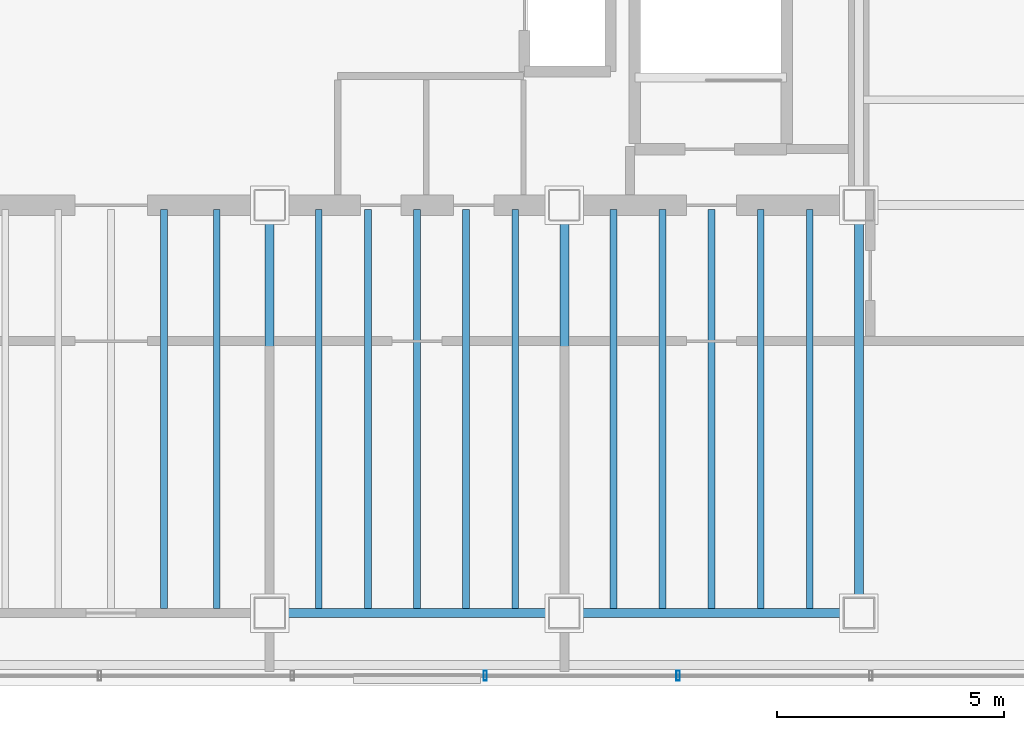
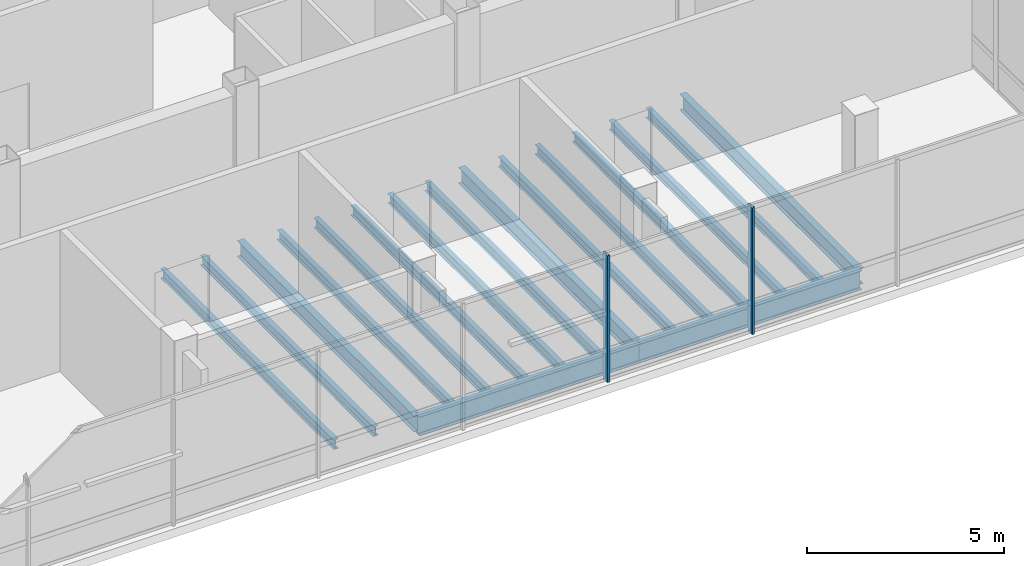
# One storey, part 10 of 20: 17 beams, 2 members, 1 element without a shape of its own.
"""IFC4 building model written with IfcOpenShell, lengths in metres."""

from ifc_helpers import new_model, si_unit, direction, frame, origin, origin_2d, place, context, subcontext, project, spatial, hollow_rectangle, i_section, extrude, material, material_profile, profile_set, type_object, element, aggregate, save


model = new_model("IFC4")

# Units and contexts
model_context = context("Model", 3, precision=1e-05, world=origin(), true_north=direction((0.0, 1.0)))
body_context = subcontext(model_context, "Body", "Model", "MODEL_VIEW")
ifc_project = project(units=[si_unit("LENGTHUNIT", "METRE"), si_unit("AREAUNIT", "SQUARE_METRE"), si_unit("VOLUMEUNIT", "CUBIC_METRE"), si_unit("PLANEANGLEUNIT", "RADIAN"), si_unit("MASSUNIT", "GRAM", prefix="KILO")], contexts=[model_context])

# Site, building, storey
site_placement = place(None, origin())
site = spatial("IfcSite", under=ifc_project, at=site_placement, CompositionType="ELEMENT")
building_placement = place(site_placement, origin())
building = spatial("IfcBuilding", under=site, at=building_placement, Name="Noeulbin Bourse Tower", CompositionType="ELEMENT")
storey_placement = place(building_placement, frame((0.0, 0.0, 312.60009765625)))
storey = spatial("IfcBuildingStorey", under=building, at=storey_placement, Name="L77", CompositionType="ELEMENT", Elevation=312.60009765625)

# Beams
ifc_material_1 = material(Name="Steel S355", Category="steel")
ifc_material_profile_1 = material_profile(ifc_material_1, i_section(OverallWidth=0.199951171875, OverallDepth=0.5, WebThickness=0.010009765625, FlangeThickness=0.01611328125, FilletRadius=0.02001953125, at=origin_2d()), Name="H-500x200x10x16", Category="LoadBearing")
ifc_profile_set_1 = profile_set([ifc_material_profile_1], Name="Steel S355")
beam_type_1 = type_object("IfcBeamType", Name="BM-GRD-500", PredefinedType="USERDEFINED", material=ifc_profile_set_1)
for number, where, z_axis, x_axis, name in (
    (1, (31.0, 20.0, -0.510009765625), (0.0, 1.0, 0.0), (-1.0, 0.0, 0.0), "Tower Primary Girder NS L77-3.1"),
    (2, (37.5, 20.0, -0.510009765625), (0.0, 1.0, 0.0), (-1.0, 0.0, 0.0), "Tower Primary Girder NS L77-4.1"),
    (3, (44.0, 20.0, -0.510009765625), (0.0, 1.0, 0.0), (-1.0, 0.0, 0.0), "Tower Primary Girder NS L77-5.1"),
):
    element("IfcBeam", number, at=place(storey_placement, frame(where, z_axis=z_axis, x_axis=x_axis)), inside=storey, type_object=beam_type_1, Name=name, ObjectType="GIRDER", PredefinedType="USERDEFINED", context=body_context, shape_type="SweptSolid", body=[
        extrude(i_section(OverallWidth=0.199951171875, OverallDepth=0.5, WebThickness=0.010009765625, FlangeThickness=0.01611328125, FilletRadius=0.02001953125, at=origin_2d()), origin(), (0.0, 0.0, 1.0), 9.0),
    ])
ifc_material_profile_2 = material_profile(ifc_material_1, i_section(OverallWidth=0.199951171875, OverallDepth=0.60009765625, WebThickness=0.010986328125, FlangeThickness=0.01708984375, FilletRadius=0.02197265625, at=origin_2d()), Name="H-600x200x11x17", Category="LoadBearing")
ifc_profile_set_2 = profile_set([ifc_material_profile_2], Name="Steel S355")
beam_type_2 = type_object("IfcBeamType", Name="BM-GRD-600", PredefinedType="USERDEFINED", material=ifc_profile_set_2)
for number, where, z_axis, x_axis, name in (
    (4, (31.0, 20.0, -0.56005859375), (1.0, 0.0, 0.0), (0.0, 1.0, 0.0), "Tower Primary Girder EW L77-1.2"),
    (5, (37.5, 20.0, -0.56005859375), (1.0, 0.0, 0.0), (0.0, 1.0, 0.0), "Tower Primary Girder EW L77-1.3"),
):
    element("IfcBeam", number, at=place(storey_placement, frame(where, z_axis=z_axis, x_axis=x_axis)), inside=storey, type_object=beam_type_2, Name=name, ObjectType="GIRDER", PredefinedType="USERDEFINED", context=body_context, shape_type="SweptSolid", body=[
        extrude(i_section(OverallWidth=0.199951171875, OverallDepth=0.60009765625, WebThickness=0.010986328125, FlangeThickness=0.01708984375, FilletRadius=0.02197265625, at=origin_2d()), origin(), (0.0, 0.0, 1.0), 6.5),
    ])
ifc_material_profile_3 = material_profile(ifc_material_1, i_section(OverallWidth=0.14990234375, OverallDepth=0.300048828125, WebThickness=0.006591796875, FlangeThickness=0.009033203125, FilletRadius=0.012939453125, at=origin_2d()), Name="H-300x150x6.5x9", Category="LoadBearing")
ifc_profile_set_3 = profile_set([ifc_material_profile_3], Name="Steel S355")
beam_type_3 = type_object("IfcBeamType", Name="BM-JST-300", PredefinedType="JOIST", material=ifc_profile_set_3)
for number, where, z_axis, x_axis, name in (
    (6, (28.666748046875, 20.10009765625, -0.41015625), (0.0, 1.0, 0.0), (-1.0, 0.0, 0.0), "Tower Composite Joist L77-07"),
    (7, (29.833251953125, 20.10009765625, -0.41015625), (0.0, 1.0, 0.0), (-1.0, 0.0, 0.0), "Tower Composite Joist L77-09"),
    (8, (32.083251953125, 20.10009765625, -0.41015625), (0.0, 1.0, 0.0), (-1.0, 0.0, 0.0), "Tower Composite Joist L77-11"),
    (9, (33.166748046875, 20.10009765625, -0.41015625), (0.0, 1.0, 0.0), (-1.0, 0.0, 0.0), "Tower Composite Joist L77-13"),
    (10, (34.25, 20.10009765625, -0.41015625), (0.0, 1.0, 0.0), (-1.0, 0.0, 0.0), "Tower Composite Joist L77-15"),
    (11, (35.333251953125, 20.10009765625, -0.41015625), (0.0, 1.0, 0.0), (-1.0, 0.0, 0.0), "Tower Composite Joist L77-17"),
    (12, (36.416748046875, 20.10009765625, -0.41015625), (0.0, 1.0, 0.0), (-1.0, 0.0, 0.0), "Tower Composite Joist L77-19"),
    (13, (38.583251953125, 20.10009765625, -0.41015625), (0.0, 1.0, 0.0), (-1.0, 0.0, 0.0), "Tower Composite Joist L77-21"),
    (14, (39.666748046875, 20.10009765625, -0.41015625), (0.0, 1.0, 0.0), (-1.0, 0.0, 0.0), "Tower Composite Joist L77-23"),
    (15, (40.75, 20.10009765625, -0.41015625), (0.0, 1.0, 0.0), (-1.0, 0.0, 0.0), "Tower Composite Joist L77-25"),
    (16, (41.833251953125, 20.10009765625, -0.41015625), (0.0, 1.0, 0.0), (-1.0, 0.0, 0.0), "Tower Composite Joist L77-27"),
    (17, (42.916748046875, 20.10009765625, -0.41015625), (0.0, 1.0, 0.0), (-1.0, 0.0, 0.0), "Tower Composite Joist L77-29"),
):
    element("IfcBeam", number, at=place(storey_placement, frame(where, z_axis=z_axis, x_axis=x_axis)), inside=storey, type_object=beam_type_3, Name=name, PredefinedType="JOIST", context=body_context, shape_type="SweptSolid", body=[
        extrude(i_section(OverallWidth=0.14990234375, OverallDepth=0.300048828125, WebThickness=0.006591796875, FlangeThickness=0.009033203125, FilletRadius=0.012939453125, at=origin_2d()), origin(), (0.0, 0.0, 1.0), 8.7998046875),
    ])

# Curtain wall, members
ifc_material_2 = material(Name="High-Selectivity Low-Iron Glazing", Category="glass")
curtain_wall_type = type_object("IfcCurtainWallType", Name="CW-SYS-4", PredefinedType="NOTDEFINED", material=ifc_material_2)
curtain_wall_placement = place(storey_placement, origin())
curtain_wall = element("IfcCurtainWall", 18, at=curtain_wall_placement, inside=storey, type_object=curtain_wall_type, Name="Unitised Curtain Wall CW-L77-S1", PredefinedType="NOTDEFINED")
ifc_material_3 = material(Name="Anodised Aluminium 6063-T6", Category="aluminium")
ifc_material_profile_4 = material_profile(ifc_material_3, hollow_rectangle(XDim=0.074951171875, YDim=0.219970703125, WallThickness=0.0048828125, InnerFilletRadius=0.00244140625, OuterFilletRadius=0.0048828125, at=origin_2d()), Name="ALU-MULL-75x220x5", Category="LoadBearing")
ifc_profile_set_4 = profile_set([ifc_material_profile_4], Name="Anodised Aluminium 6063-T6")
member_type = type_object("IfcMemberType", Name="CW-SYS-4-MUL", PredefinedType="MULLION", material=ifc_profile_set_4)
member_1_placement = place(storey_placement, frame((35.7548828125, 18.6201171875, -0.02001953125), z_axis=(0.0, 0.0, 1.0), x_axis=(1.0, 0.0, 0.0)))
member_1 = element("IfcMember", 19, at=member_1_placement, type_object=member_type, Name="Curtain Wall Mullion CW-L77-S1-M05", PredefinedType="MULLION", context=body_context, shape_type="SweptSolid", body=[
    extrude(hollow_rectangle(XDim=0.074951171875, YDim=0.219970703125, WallThickness=0.0048828125, InnerFilletRadius=0.00244140625, OuterFilletRadius=0.0048828125, at=origin_2d()), origin(), (0.0, 0.0, 1.0), 3.949951171875),
])
member_2_placement = place(storey_placement, frame((40.010009765625, 18.6201171875, -0.02001953125), z_axis=(0.0, 0.0, 1.0), x_axis=(1.0, 0.0, 0.0)))
member_2 = element("IfcMember", 20, at=member_2_placement, type_object=member_type, Name="Curtain Wall Mullion CW-L77-S1-M06", PredefinedType="MULLION", context=body_context, shape_type="SweptSolid", body=[
    extrude(hollow_rectangle(XDim=0.074951171875, YDim=0.219970703125, WallThickness=0.0048828125, InnerFilletRadius=0.00244140625, OuterFilletRadius=0.0048828125, at=origin_2d()), origin(), (0.0, 0.0, 1.0), 3.949951171875),
])
aggregate(curtain_wall, [member_1, member_2])

save(model, "model.ifc")
